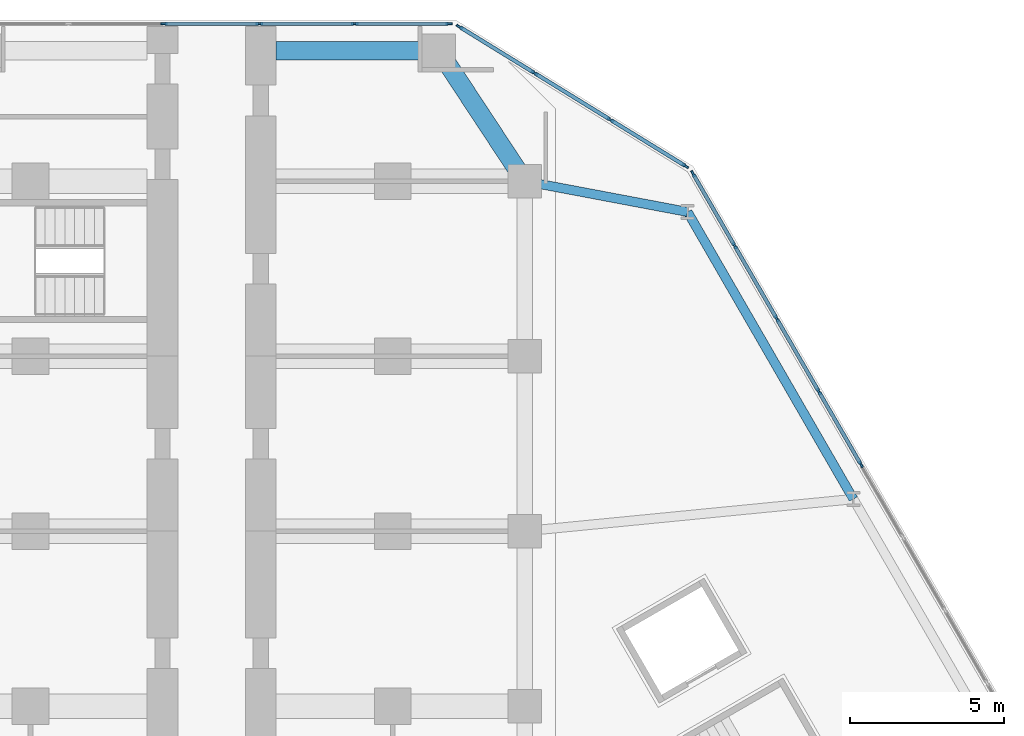
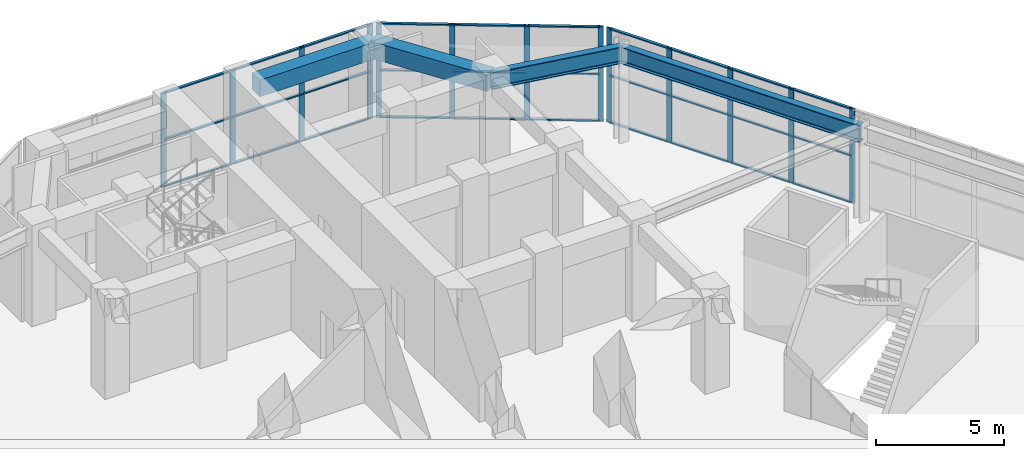
# One storey, part 10 of 22: 43 members, 4 beams, 3 elements without a shape of their own.
"""IFC4 building model written with IfcOpenShell, lengths in metres."""

from ifc_helpers import new_model, si_unit, direction, frame, origin, origin_2d, place, context, subcontext, project, spatial, rectangle, i_section, extrude, material, material_profile, profile_set, type_object, element, aggregate, save


model = new_model("IFC4")

# Units and contexts
model_context = context("Model", 3, precision=1e-05, world=origin(), true_north=direction((0.0, 1.0)))
body_context = subcontext(model_context, "Body", "Model", "MODEL_VIEW")
ifc_project = project(units=[si_unit("LENGTHUNIT", "METRE"), si_unit("AREAUNIT", "SQUARE_METRE"), si_unit("VOLUMEUNIT", "CUBIC_METRE"), si_unit("PLANEANGLEUNIT", "RADIAN"), si_unit("MASSUNIT", "GRAM", prefix="KILO")], contexts=[model_context])

# Site, building, storey
site_placement = place(None, origin())
site = spatial("IfcSite", under=ifc_project, at=site_placement, CompositionType="ELEMENT")
building_placement = place(site_placement, origin())
building = spatial("IfcBuilding", under=site, at=building_placement, Name="Kosmar Iwan School Tower", CompositionType="ELEMENT")
storey_placement = place(building_placement, frame((0.0, 0.0, 10.800048828125)))
storey = spatial("IfcBuildingStorey", under=building, at=storey_placement, Name="L02", CompositionType="ELEMENT", Elevation=10.800048828125)

# Beams
ifc_material_1 = material(Name="Steel S355", Category="steel")
ifc_material_profile_1 = material_profile(ifc_material_1, i_section(OverallWidth=0.300048828125, OverallDepth=0.800048828125, WebThickness=0.017578125, FlangeThickness=0.032958984375, FilletRadius=0.030029296875, at=origin_2d()), Name="HE 800 B")
ifc_profile_set_1 = profile_set([ifc_material_profile_1], Name="Steel S355")
beam_type_1 = type_object("IfcBeamType", Name="Infill edge beam HE 800 B", PredefinedType="BEAM", material=ifc_profile_set_1)
beam_1_placement = place(storey_placement, frame((10.199951171875, 29.35009765625, 4.099853515625), z_axis=(0.982642984394, -0.185506779446, 0.0), x_axis=(0.185506779446, 0.982642984394, 0.0)))
element("IfcBeam", 1, at=beam_1_placement, inside=storey, type_object=beam_type_1, Name="Infill edge beam AC1", PredefinedType="BEAM", context=body_context, shape_type="SweptSolid", body=[
    extrude(i_section(OverallWidth=0.300048828125, OverallDepth=0.800048828125, WebThickness=0.017578125, FlangeThickness=0.032958984375, FilletRadius=0.030029296875, at=origin_2d()), origin(), (0.0, 0.0, 1.0), 5.39599609375),
])
beam_2_placement = place(storey_placement, frame((15.502197265625, 28.34912109375, 4.099853515625), z_axis=(0.500012057535, -0.866018442252, 0.0), x_axis=(0.866018442252, 0.500012057535, 0.0)))
element("IfcBeam", 2, at=beam_2_placement, inside=storey, type_object=beam_type_1, Name="Infill edge beam AC2", PredefinedType="BEAM", context=body_context, shape_type="SweptSolid", body=[
    extrude(i_section(OverallWidth=0.300048828125, OverallDepth=0.800048828125, WebThickness=0.017578125, FlangeThickness=0.032958984375, FilletRadius=0.030029296875, at=origin_2d()), origin(), (0.0, 0.0, 1.0), 10.800048828125),
])

# Curtain wall, members
ifc_material_2 = material(Name="Dark glass in black aluminium frame", Category="aluminium")
curtain_wall_type_1 = type_object("IfcCurtainWallType", Name="Podium curtain wall", PredefinedType="USERDEFINED", material=ifc_material_2)
curtain_wall_1_placement = place(storey_placement, origin())
curtain_wall_1 = element("IfcCurtainWall", 3, at=curtain_wall_1_placement, inside=storey, type_object=curtain_wall_type_1, Name="Curtain wall L02-F04", ObjectType="STICK CURTAIN WALL", PredefinedType="USERDEFINED")
ifc_material_3 = material(Name="Black anodised aluminium", Category="aluminium")
ifc_material_profile_2 = material_profile(ifc_material_3, rectangle(XDim=0.06494140625, YDim=0.219970703125, at=origin_2d()), Name="MULLION 65x220")
ifc_profile_set_2 = profile_set([ifc_material_profile_2], Name="Black anodised aluminium")
member_type_1 = type_object("IfcMemberType", Name="Podium mullion 65x220", PredefinedType="MULLION", material=ifc_profile_set_2)
member_1_placement = place(storey_placement, frame((21.14697265625, 20.12255859375, 0.0), z_axis=(0.0, 0.0, 1.0), x_axis=(-0.866025390869, -0.50000002237, 0.0)))
member_1 = element("IfcMember", 4, at=member_1_placement, type_object=member_type_1, Name="CW3 mullion 10", PredefinedType="MULLION", context=body_context, shape_type="SweptSolid", body=[
    extrude(rectangle(XDim=0.06494140625, YDim=0.219970703125, at=origin_2d()), origin(), (0.0, 0.0, 1.0), 4.5),
])
member_2_placement = place(storey_placement, frame((19.776123046875, 22.49658203125, 0.0), z_axis=(0.0, 0.0, 1.0), x_axis=(-0.866025390869, -0.50000002237, 0.0)))
member_2 = element("IfcMember", 5, at=member_2_placement, type_object=member_type_1, Name="CW3 mullion 11", PredefinedType="MULLION", context=body_context, shape_type="SweptSolid", body=[
    extrude(rectangle(XDim=0.06494140625, YDim=0.219970703125, at=origin_2d()), origin(), (0.0, 0.0, 1.0), 4.5),
])
member_3_placement = place(storey_placement, frame((18.405517578125, 24.87060546875, 0.0), z_axis=(0.0, 0.0, 1.0), x_axis=(-0.866025390869, -0.50000002237, 0.0)))
member_3 = element("IfcMember", 6, at=member_3_placement, type_object=member_type_1, Name="CW3 mullion 12", PredefinedType="MULLION", context=body_context, shape_type="SweptSolid", body=[
    extrude(rectangle(XDim=0.06494140625, YDim=0.219970703125, at=origin_2d()), origin(), (0.0, 0.0, 1.0), 4.5),
])
member_4_placement = place(storey_placement, frame((17.034912109375, 27.24462890625, 0.0), z_axis=(0.0, 0.0, 1.0), x_axis=(-0.866025390869, -0.50000002237, 0.0)))
member_4 = element("IfcMember", 7, at=member_4_placement, type_object=member_type_1, Name="CW3 mullion 13", PredefinedType="MULLION", context=body_context, shape_type="SweptSolid", body=[
    extrude(rectangle(XDim=0.06494140625, YDim=0.219970703125, at=origin_2d()), origin(), (0.0, 0.0, 1.0), 4.5),
])
member_5_placement = place(storey_placement, frame((15.680419921875, 29.590576171875, 0.0), z_axis=(0.0, 0.0, 1.0), x_axis=(-0.866025390869, -0.50000002237, 0.0)))
member_5 = element("IfcMember", 8, at=member_5_placement, type_object=member_type_1, Name="CW3 mullion 14", PredefinedType="MULLION", context=body_context, shape_type="SweptSolid", body=[
    extrude(rectangle(XDim=0.06494140625, YDim=0.219970703125, at=origin_2d()), origin(), (0.0, 0.0, 1.0), 4.5),
])

curtain_wall_2_placement = place(storey_placement, origin())
curtain_wall_2 = element("IfcCurtainWall", 9, at=curtain_wall_2_placement, inside=storey, type_object=curtain_wall_type_1, Name="Curtain wall L02-F05", ObjectType="STICK CURTAIN WALL", PredefinedType="USERDEFINED")
member_6_placement = place(storey_placement, frame((15.433837890625, 29.84423828125, 0.0), z_axis=(0.0, 0.0, 1.0), x_axis=(-0.524381722801, -0.851483299186, 0.0)))
member_6 = element("IfcMember", 10, at=member_6_placement, type_object=member_type_1, Name="CW3 mullion 1", PredefinedType="MULLION", context=body_context, shape_type="SweptSolid", body=[
    extrude(rectangle(XDim=0.06494140625, YDim=0.219970703125, at=origin_2d()), origin(), (0.0, 0.0, 1.0), 4.5),
])
member_7_placement = place(storey_placement, frame((12.988525390625, 31.350341796875, 0.0), z_axis=(0.0, 0.0, 1.0), x_axis=(-0.524381722801, -0.851483299186, 0.0)))
member_7 = element("IfcMember", 11, at=member_7_placement, type_object=member_type_1, Name="CW3 mullion 2", PredefinedType="MULLION", context=body_context, shape_type="SweptSolid", body=[
    extrude(rectangle(XDim=0.06494140625, YDim=0.219970703125, at=origin_2d()), origin(), (0.0, 0.0, 1.0), 4.5),
])
member_8_placement = place(storey_placement, frame((10.515380859375, 32.873291015625, 0.0), z_axis=(0.0, 0.0, 1.0), x_axis=(-0.524381722801, -0.851483299186, 0.0)))
member_8 = element("IfcMember", 12, at=member_8_placement, type_object=member_type_1, Name="CW3 mullion 3", PredefinedType="MULLION", context=body_context, shape_type="SweptSolid", body=[
    extrude(rectangle(XDim=0.06494140625, YDim=0.219970703125, at=origin_2d()), origin(), (0.0, 0.0, 1.0), 4.5),
])
member_9_placement = place(storey_placement, frame((8.070068359375, 34.37939453125, 0.0), z_axis=(0.0, 0.0, 1.0), x_axis=(-0.524381722801, -0.851483299186, 0.0)))
member_9 = element("IfcMember", 13, at=member_9_placement, type_object=member_type_1, Name="CW3 mullion 4", PredefinedType="MULLION", context=body_context, shape_type="SweptSolid", body=[
    extrude(rectangle(XDim=0.06494140625, YDim=0.219970703125, at=origin_2d()), origin(), (0.0, 0.0, 1.0), 4.5),
])

ifc_material_4 = material(Name="Dark glass in black aluminium frame", Category="aluminium")
curtain_wall_type_2 = type_object("IfcCurtainWallType", Name="Tower curtain wall dark glass", PredefinedType="USERDEFINED", material=ifc_material_4)
curtain_wall_3_placement = place(storey_placement, origin())
curtain_wall_3 = element("IfcCurtainWall", 14, at=curtain_wall_3_placement, inside=storey, type_object=curtain_wall_type_2, Name="Curtain wall L02-F06", ObjectType="UNITISED CURTAIN WALL", PredefinedType="USERDEFINED")
member_10_placement = place(storey_placement, frame((7.732177734375, 34.47509765625, 0.0), z_axis=(0.0, 0.0, 1.0), x_axis=(0.0, -1.0, 0.0)))
member_10 = element("IfcMember", 15, at=member_10_placement, type_object=member_type_1, Name="CW1 mullion 1", PredefinedType="MULLION", context=body_context, shape_type="SweptSolid", body=[
    extrude(rectangle(XDim=0.06494140625, YDim=0.219970703125, at=origin_2d()), origin(), (0.0, 0.0, 1.0), 4.5),
])
member_11_placement = place(storey_placement, frame((4.65869140625, 34.47509765625, 0.0), z_axis=(0.0, 0.0, 1.0), x_axis=(0.0, -1.0, 0.0)))
member_11 = element("IfcMember", 16, at=member_11_placement, type_object=member_type_1, Name="CW1 mullion 2", PredefinedType="MULLION", context=body_context, shape_type="SweptSolid", body=[
    extrude(rectangle(XDim=0.06494140625, YDim=0.219970703125, at=origin_2d()), origin(), (0.0, 0.0, 1.0), 4.5),
])
member_12_placement = place(storey_placement, frame((1.552978515625, 34.47509765625, 0.0), z_axis=(0.0, 0.0, 1.0), x_axis=(0.0, -1.0, 0.0)))
member_12 = element("IfcMember", 17, at=member_12_placement, type_object=member_type_1, Name="CW1 mullion 3", PredefinedType="MULLION", context=body_context, shape_type="SweptSolid", body=[
    extrude(rectangle(XDim=0.06494140625, YDim=0.219970703125, at=origin_2d()), origin(), (0.0, 0.0, 1.0), 4.5),
])
member_13_placement = place(storey_placement, frame((-1.552978515625, 34.47509765625, 0.0), z_axis=(0.0, 0.0, 1.0), x_axis=(0.0, -1.0, 0.0)))
member_13 = element("IfcMember", 18, at=member_13_placement, type_object=member_type_1, Name="CW1 mullion 4", PredefinedType="MULLION", context=body_context, shape_type="SweptSolid", body=[
    extrude(rectangle(XDim=0.06494140625, YDim=0.219970703125, at=origin_2d()), origin(), (0.0, 0.0, 1.0), 4.5),
])

# Beams
ifc_material_5 = material(Name="Concrete C50/60", Category="concrete")
ifc_material_profile_3 = material_profile(ifc_material_5, rectangle(XDim=0.60009765625, YDim=0.800048828125, at=origin_2d()), Name="RC 600x800")
ifc_profile_set_3 = profile_set([ifc_material_profile_3], Name="Concrete C50/60")
beam_type_2 = type_object("IfcBeamType", Name="RC tip beam 600x800", PredefinedType="BEAM", material=ifc_profile_set_3)
beam_3_placement = place(storey_placement, frame((10.199951171875, 29.35009765625, 4.099853515625), z_axis=(-0.550164383043, 0.835056376319, 0.0), x_axis=(-0.835056376319, -0.550164383043, 0.0)))
element("IfcBeam", 19, at=beam_3_placement, inside=storey, type_object=beam_type_2, Name="Tip beam AR", PredefinedType="BEAM", context=body_context, shape_type="SweptSolid", body=[
    extrude(rectangle(XDim=0.60009765625, YDim=0.800048828125, at=origin_2d()), origin(), (0.0, 0.0, 1.0), 5.08935546875),
])
beam_4_placement = place(storey_placement, frame((7.39990234375, 33.60009765625, 4.099853515625), z_axis=(-1.0, 0.0, 0.0), x_axis=(0.0, -1.0, 0.0)))
element("IfcBeam", 20, at=beam_4_placement, inside=storey, type_object=beam_type_2, Name="Tip beam AR to corridor wall", PredefinedType="BEAM", context=body_context, shape_type="SweptSolid", body=[
    extrude(rectangle(XDim=0.60009765625, YDim=0.800048828125, at=origin_2d()), origin(), (0.0, 0.0, 1.0), 5.2998046875),
])

# Member
ifc_material_6 = material(Name="Black anodised aluminium", Category="aluminium")
ifc_material_profile_4 = material_profile(ifc_material_6, rectangle(XDim=0.1201171875, YDim=0.06005859375, at=origin_2d()), Name="TRANSOM 60x120")
ifc_profile_set_4 = profile_set([ifc_material_profile_4], Name="Black anodised aluminium")
member_type_2 = type_object("IfcMemberType", Name="Transom 60x120", PredefinedType="USERDEFINED", material=ifc_profile_set_4)
member_14_placement = place(storey_placement, frame((21.130615234375, 20.150634765625, 0.030029296875), z_axis=(-0.499975134057, 0.866039759667, 0.0), x_axis=(-0.866039759667, -0.499975134057, 0.0)))
member_14 = element("IfcMember", 21, at=member_14_placement, type_object=member_type_2, Name="CW3 transom 10.1", ObjectType="TRANSOM", PredefinedType="USERDEFINED", context=body_context, shape_type="SweptSolid", body=[
    extrude(rectangle(XDim=0.1201171875, YDim=0.06005859375, at=origin_2d()), origin(), (0.0, 0.0, 1.0), 2.676513671875),
])

member_15_placement = place(storey_placement, frame((21.130615234375, 20.150634765625, 2.25), z_axis=(-0.499975134057, 0.866039759667, 0.0), x_axis=(-0.866039759667, -0.499975134057, 0.0)))
member_15 = element("IfcMember", 22, at=member_15_placement, type_object=member_type_2, Name="CW3 transom 10.2", ObjectType="TRANSOM", PredefinedType="USERDEFINED", context=body_context, shape_type="SweptSolid", body=[
    extrude(rectangle(XDim=0.1201171875, YDim=0.06005859375, at=origin_2d()), origin(), (0.0, 0.0, 1.0), 2.676513671875),
])

member_16_placement = place(storey_placement, frame((21.130615234375, 20.150634765625, 4.469970703125), z_axis=(-0.499975134057, 0.866039759667, 0.0), x_axis=(-0.866039759667, -0.499975134057, 0.0)))
member_16 = element("IfcMember", 23, at=member_16_placement, type_object=member_type_2, Name="CW3 transom 10.3", ObjectType="TRANSOM", PredefinedType="USERDEFINED", context=body_context, shape_type="SweptSolid", body=[
    extrude(rectangle(XDim=0.1201171875, YDim=0.06005859375, at=origin_2d()), origin(), (0.0, 0.0, 1.0), 2.676513671875),
])

member_17_placement = place(storey_placement, frame((19.760009765625, 22.524658203125, 0.030029296875), z_axis=(-0.499975134057, 0.866039759667, 0.0), x_axis=(-0.866039759667, -0.499975134057, 0.0)))
member_17 = element("IfcMember", 24, at=member_17_placement, type_object=member_type_2, Name="CW3 transom 11.1", ObjectType="TRANSOM", PredefinedType="USERDEFINED", context=body_context, shape_type="SweptSolid", body=[
    extrude(rectangle(XDim=0.1201171875, YDim=0.06005859375, at=origin_2d()), origin(), (0.0, 0.0, 1.0), 2.676513671875),
])

member_18_placement = place(storey_placement, frame((19.760009765625, 22.524658203125, 2.25), z_axis=(-0.499975134057, 0.866039759667, 0.0), x_axis=(-0.866039759667, -0.499975134057, 0.0)))
member_18 = element("IfcMember", 25, at=member_18_placement, type_object=member_type_2, Name="CW3 transom 11.2", ObjectType="TRANSOM", PredefinedType="USERDEFINED", context=body_context, shape_type="SweptSolid", body=[
    extrude(rectangle(XDim=0.1201171875, YDim=0.06005859375, at=origin_2d()), origin(), (0.0, 0.0, 1.0), 2.676513671875),
])

member_19_placement = place(storey_placement, frame((19.760009765625, 22.524658203125, 4.469970703125), z_axis=(-0.499975134057, 0.866039759667, 0.0), x_axis=(-0.866039759667, -0.499975134057, 0.0)))
member_19 = element("IfcMember", 26, at=member_19_placement, type_object=member_type_2, Name="CW3 transom 11.3", ObjectType="TRANSOM", PredefinedType="USERDEFINED", context=body_context, shape_type="SweptSolid", body=[
    extrude(rectangle(XDim=0.1201171875, YDim=0.06005859375, at=origin_2d()), origin(), (0.0, 0.0, 1.0), 2.676513671875),
])

member_20_placement = place(storey_placement, frame((18.389404296875, 24.898681640625, 0.030029296875), z_axis=(-0.499975134057, 0.866039759667, 0.0), x_axis=(-0.866039759667, -0.499975134057, 0.0)))
member_20 = element("IfcMember", 27, at=member_20_placement, type_object=member_type_2, Name="CW3 transom 12.1", ObjectType="TRANSOM", PredefinedType="USERDEFINED", context=body_context, shape_type="SweptSolid", body=[
    extrude(rectangle(XDim=0.1201171875, YDim=0.06005859375, at=origin_2d()), origin(), (0.0, 0.0, 1.0), 2.676513671875),
])

member_21_placement = place(storey_placement, frame((18.389404296875, 24.898681640625, 2.25), z_axis=(-0.499975134057, 0.866039759667, 0.0), x_axis=(-0.866039759667, -0.499975134057, 0.0)))
member_21 = element("IfcMember", 28, at=member_21_placement, type_object=member_type_2, Name="CW3 transom 12.2", ObjectType="TRANSOM", PredefinedType="USERDEFINED", context=body_context, shape_type="SweptSolid", body=[
    extrude(rectangle(XDim=0.1201171875, YDim=0.06005859375, at=origin_2d()), origin(), (0.0, 0.0, 1.0), 2.676513671875),
])

member_22_placement = place(storey_placement, frame((18.389404296875, 24.898681640625, 4.469970703125), z_axis=(-0.499975134057, 0.866039759667, 0.0), x_axis=(-0.866039759667, -0.499975134057, 0.0)))
member_22 = element("IfcMember", 29, at=member_22_placement, type_object=member_type_2, Name="CW3 transom 12.3", ObjectType="TRANSOM", PredefinedType="USERDEFINED", context=body_context, shape_type="SweptSolid", body=[
    extrude(rectangle(XDim=0.1201171875, YDim=0.06005859375, at=origin_2d()), origin(), (0.0, 0.0, 1.0), 2.676513671875),
])

member_23_placement = place(storey_placement, frame((17.0185546875, 27.272705078125, 0.030029296875), z_axis=(-0.499932946999, 0.866064113392, 0.0), x_axis=(-0.866064113392, -0.499932946999, 0.0)))
member_23 = element("IfcMember", 30, at=member_23_placement, type_object=member_type_2, Name="CW3 transom 13.1", ObjectType="TRANSOM", PredefinedType="USERDEFINED", context=body_context, shape_type="SweptSolid", body=[
    extrude(rectangle(XDim=0.1201171875, YDim=0.06005859375, at=origin_2d()), origin(), (0.0, 0.0, 1.0), 2.643798828125),
])

member_24_placement = place(storey_placement, frame((17.0185546875, 27.272705078125, 2.25), z_axis=(-0.499932946999, 0.866064113392, 0.0), x_axis=(-0.866064113392, -0.499932946999, 0.0)))
member_24 = element("IfcMember", 31, at=member_24_placement, type_object=member_type_2, Name="CW3 transom 13.2", ObjectType="TRANSOM", PredefinedType="USERDEFINED", context=body_context, shape_type="SweptSolid", body=[
    extrude(rectangle(XDim=0.1201171875, YDim=0.06005859375, at=origin_2d()), origin(), (0.0, 0.0, 1.0), 2.643798828125),
])

member_25_placement = place(storey_placement, frame((17.0185546875, 27.272705078125, 4.469970703125), z_axis=(-0.499932946999, 0.866064113392, 0.0), x_axis=(-0.866064113392, -0.499932946999, 0.0)))
member_25 = element("IfcMember", 32, at=member_25_placement, type_object=member_type_2, Name="CW3 transom 13.3", ObjectType="TRANSOM", PredefinedType="USERDEFINED", context=body_context, shape_type="SweptSolid", body=[
    extrude(rectangle(XDim=0.1201171875, YDim=0.06005859375, at=origin_2d()), origin(), (0.0, 0.0, 1.0), 2.643798828125),
])

aggregate(curtain_wall_1, [member_1, member_2, member_3, member_4, member_5, member_14, member_15, member_16, member_17, member_18, member_19, member_20, member_21, member_22, member_23, member_24, member_25])

member_26_placement = place(storey_placement, frame((15.40625, 29.861328125, 0.030029296875), z_axis=(-0.851488054059, 0.52437400183, 0.0), x_axis=(-0.52437400183, -0.851488054059, 0.0)))
member_26 = element("IfcMember", 33, at=member_26_placement, type_object=member_type_2, Name="CW3 transom 1.1", ObjectType="TRANSOM", PredefinedType="USERDEFINED", context=body_context, shape_type="SweptSolid", body=[
    extrude(rectangle(XDim=0.1201171875, YDim=0.06005859375, at=origin_2d()), origin(), (0.0, 0.0, 1.0), 2.80712890625),
])

member_27_placement = place(storey_placement, frame((15.40625, 29.861328125, 2.25), z_axis=(-0.851488054059, 0.52437400183, 0.0), x_axis=(-0.52437400183, -0.851488054059, 0.0)))
member_27 = element("IfcMember", 34, at=member_27_placement, type_object=member_type_2, Name="CW3 transom 1.2", ObjectType="TRANSOM", PredefinedType="USERDEFINED", context=body_context, shape_type="SweptSolid", body=[
    extrude(rectangle(XDim=0.1201171875, YDim=0.06005859375, at=origin_2d()), origin(), (0.0, 0.0, 1.0), 2.80712890625),
])

member_28_placement = place(storey_placement, frame((15.40625, 29.861328125, 4.469970703125), z_axis=(-0.851488054059, 0.52437400183, 0.0), x_axis=(-0.52437400183, -0.851488054059, 0.0)))
member_28 = element("IfcMember", 35, at=member_28_placement, type_object=member_type_2, Name="CW3 transom 1.3", ObjectType="TRANSOM", PredefinedType="USERDEFINED", context=body_context, shape_type="SweptSolid", body=[
    extrude(rectangle(XDim=0.1201171875, YDim=0.06005859375, at=origin_2d()), origin(), (0.0, 0.0, 1.0), 2.80712890625),
])

member_29_placement = place(storey_placement, frame((12.960693359375, 31.367431640625, 0.030029296875), z_axis=(-0.85151066898, 0.524337277536, 0.0), x_axis=(-0.524337277536, -0.85151066898, 0.0)))
member_29 = element("IfcMember", 36, at=member_29_placement, type_object=member_type_2, Name="CW3 transom 2.1", ObjectType="TRANSOM", PredefinedType="USERDEFINED", context=body_context, shape_type="SweptSolid", body=[
    extrude(rectangle(XDim=0.1201171875, YDim=0.06005859375, at=origin_2d()), origin(), (0.0, 0.0, 1.0), 2.83935546875),
])

member_30_placement = place(storey_placement, frame((12.960693359375, 31.367431640625, 2.25), z_axis=(-0.85151066898, 0.524337277536, 0.0), x_axis=(-0.524337277536, -0.85151066898, 0.0)))
member_30 = element("IfcMember", 37, at=member_30_placement, type_object=member_type_2, Name="CW3 transom 2.2", ObjectType="TRANSOM", PredefinedType="USERDEFINED", context=body_context, shape_type="SweptSolid", body=[
    extrude(rectangle(XDim=0.1201171875, YDim=0.06005859375, at=origin_2d()), origin(), (0.0, 0.0, 1.0), 2.83935546875),
])

member_31_placement = place(storey_placement, frame((12.960693359375, 31.367431640625, 4.469970703125), z_axis=(-0.85151066898, 0.524337277536, 0.0), x_axis=(-0.524337277536, -0.85151066898, 0.0)))
member_31 = element("IfcMember", 38, at=member_31_placement, type_object=member_type_2, Name="CW3 transom 2.3", ObjectType="TRANSOM", PredefinedType="USERDEFINED", context=body_context, shape_type="SweptSolid", body=[
    extrude(rectangle(XDim=0.1201171875, YDim=0.06005859375, at=origin_2d()), origin(), (0.0, 0.0, 1.0), 2.83935546875),
])

member_32_placement = place(storey_placement, frame((10.48779296875, 32.890380859375, 0.030029296875), z_axis=(-0.851488054059, 0.52437400183, 0.0), x_axis=(-0.52437400183, -0.851488054059, 0.0)))
member_32 = element("IfcMember", 39, at=member_32_placement, type_object=member_type_2, Name="CW3 transom 3.1", ObjectType="TRANSOM", PredefinedType="USERDEFINED", context=body_context, shape_type="SweptSolid", body=[
    extrude(rectangle(XDim=0.1201171875, YDim=0.06005859375, at=origin_2d()), origin(), (0.0, 0.0, 1.0), 2.80712890625),
])

member_33_placement = place(storey_placement, frame((10.48779296875, 32.890380859375, 2.25), z_axis=(-0.851488054059, 0.52437400183, 0.0), x_axis=(-0.52437400183, -0.851488054059, 0.0)))
member_33 = element("IfcMember", 40, at=member_33_placement, type_object=member_type_2, Name="CW3 transom 3.2", ObjectType="TRANSOM", PredefinedType="USERDEFINED", context=body_context, shape_type="SweptSolid", body=[
    extrude(rectangle(XDim=0.1201171875, YDim=0.06005859375, at=origin_2d()), origin(), (0.0, 0.0, 1.0), 2.80712890625),
])

member_34_placement = place(storey_placement, frame((10.48779296875, 32.890380859375, 4.469970703125), z_axis=(-0.851488054059, 0.52437400183, 0.0), x_axis=(-0.52437400183, -0.851488054059, 0.0)))
member_34 = element("IfcMember", 41, at=member_34_placement, type_object=member_type_2, Name="CW3 transom 3.3", ObjectType="TRANSOM", PredefinedType="USERDEFINED", context=body_context, shape_type="SweptSolid", body=[
    extrude(rectangle(XDim=0.1201171875, YDim=0.06005859375, at=origin_2d()), origin(), (0.0, 0.0, 1.0), 2.80712890625),
])

aggregate(curtain_wall_2, [member_6, member_7, member_8, member_9, member_26, member_27, member_28, member_29, member_30, member_31, member_32, member_33, member_34])

member_35_placement = place(storey_placement, frame((7.69970703125, 34.47509765625, 0.030029296875), z_axis=(-1.0, 0.0, 0.0), x_axis=(0.0, -1.0, 0.0)))
member_35 = element("IfcMember", 42, at=member_35_placement, type_object=member_type_2, Name="CW1 transom 1.1", ObjectType="TRANSOM", PredefinedType="USERDEFINED", context=body_context, shape_type="SweptSolid", body=[
    extrude(rectangle(XDim=0.1201171875, YDim=0.06005859375, at=origin_2d()), origin(), (0.0, 0.0, 1.0), 3.008544921875),
])

member_36_placement = place(storey_placement, frame((7.69970703125, 34.47509765625, 2.25), z_axis=(-1.0, 0.0, 0.0), x_axis=(0.0, -1.0, 0.0)))
member_36 = element("IfcMember", 43, at=member_36_placement, type_object=member_type_2, Name="CW1 transom 1.2", ObjectType="TRANSOM", PredefinedType="USERDEFINED", context=body_context, shape_type="SweptSolid", body=[
    extrude(rectangle(XDim=0.1201171875, YDim=0.06005859375, at=origin_2d()), origin(), (0.0, 0.0, 1.0), 3.008544921875),
])

member_37_placement = place(storey_placement, frame((7.69970703125, 34.47509765625, 4.469970703125), z_axis=(-1.0, 0.0, 0.0), x_axis=(0.0, -1.0, 0.0)))
member_37 = element("IfcMember", 44, at=member_37_placement, type_object=member_type_2, Name="CW1 transom 1.3", ObjectType="TRANSOM", PredefinedType="USERDEFINED", context=body_context, shape_type="SweptSolid", body=[
    extrude(rectangle(XDim=0.1201171875, YDim=0.06005859375, at=origin_2d()), origin(), (0.0, 0.0, 1.0), 3.008544921875),
])

member_38_placement = place(storey_placement, frame((4.626220703125, 34.47509765625, 0.030029296875), z_axis=(-1.0, 0.0, 0.0), x_axis=(0.0, -1.0, 0.0)))
member_38 = element("IfcMember", 45, at=member_38_placement, type_object=member_type_2, Name="CW1 transom 2.1", ObjectType="TRANSOM", PredefinedType="USERDEFINED", context=body_context, shape_type="SweptSolid", body=[
    extrude(rectangle(XDim=0.1201171875, YDim=0.06005859375, at=origin_2d()), origin(), (0.0, 0.0, 1.0), 3.040771484375),
])

member_39_placement = place(storey_placement, frame((4.626220703125, 34.47509765625, 2.25), z_axis=(-1.0, 0.0, 0.0), x_axis=(0.0, -1.0, 0.0)))
member_39 = element("IfcMember", 46, at=member_39_placement, type_object=member_type_2, Name="CW1 transom 2.2", ObjectType="TRANSOM", PredefinedType="USERDEFINED", context=body_context, shape_type="SweptSolid", body=[
    extrude(rectangle(XDim=0.1201171875, YDim=0.06005859375, at=origin_2d()), origin(), (0.0, 0.0, 1.0), 3.040771484375),
])

member_40_placement = place(storey_placement, frame((4.626220703125, 34.47509765625, 4.469970703125), z_axis=(-1.0, 0.0, 0.0), x_axis=(0.0, -1.0, 0.0)))
member_40 = element("IfcMember", 47, at=member_40_placement, type_object=member_type_2, Name="CW1 transom 2.3", ObjectType="TRANSOM", PredefinedType="USERDEFINED", context=body_context, shape_type="SweptSolid", body=[
    extrude(rectangle(XDim=0.1201171875, YDim=0.06005859375, at=origin_2d()), origin(), (0.0, 0.0, 1.0), 3.040771484375),
])

member_41_placement = place(storey_placement, frame((1.5205078125, 34.47509765625, 0.030029296875), z_axis=(-1.0, 0.0, 0.0), x_axis=(0.0, -1.0, 0.0)))
member_41 = element("IfcMember", 48, at=member_41_placement, type_object=member_type_2, Name="CW1 transom 3.1", ObjectType="TRANSOM", PredefinedType="USERDEFINED", context=body_context, shape_type="SweptSolid", body=[
    extrude(rectangle(XDim=0.1201171875, YDim=0.06005859375, at=origin_2d()), origin(), (0.0, 0.0, 1.0), 3.041015625),
])

member_42_placement = place(storey_placement, frame((1.5205078125, 34.47509765625, 2.25), z_axis=(-1.0, 0.0, 0.0), x_axis=(0.0, -1.0, 0.0)))
member_42 = element("IfcMember", 49, at=member_42_placement, type_object=member_type_2, Name="CW1 transom 3.2", ObjectType="TRANSOM", PredefinedType="USERDEFINED", context=body_context, shape_type="SweptSolid", body=[
    extrude(rectangle(XDim=0.1201171875, YDim=0.06005859375, at=origin_2d()), origin(), (0.0, 0.0, 1.0), 3.041015625),
])

member_43_placement = place(storey_placement, frame((1.5205078125, 34.47509765625, 4.469970703125), z_axis=(-1.0, 0.0, 0.0), x_axis=(0.0, -1.0, 0.0)))
member_43 = element("IfcMember", 50, at=member_43_placement, type_object=member_type_2, Name="CW1 transom 3.3", ObjectType="TRANSOM", PredefinedType="USERDEFINED", context=body_context, shape_type="SweptSolid", body=[
    extrude(rectangle(XDim=0.1201171875, YDim=0.06005859375, at=origin_2d()), origin(), (0.0, 0.0, 1.0), 3.041015625),
])

aggregate(curtain_wall_3, [member_10, member_11, member_12, member_13, member_35, member_36, member_37, member_38, member_39, member_40, member_41, member_42, member_43])

save(model, "model.ifc")
